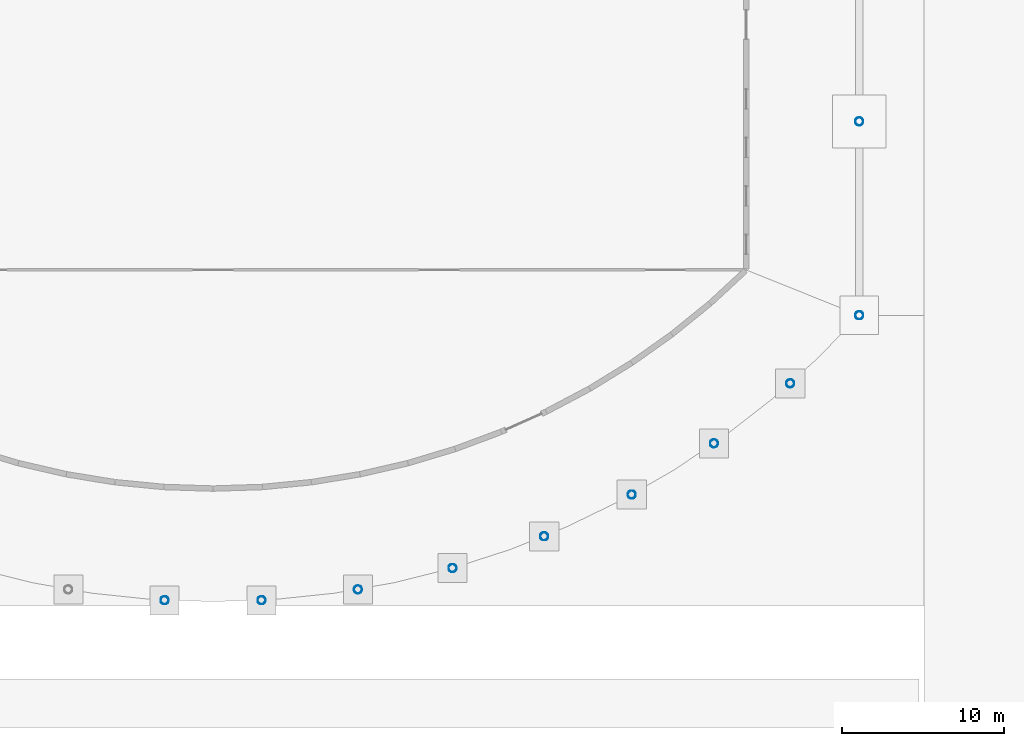
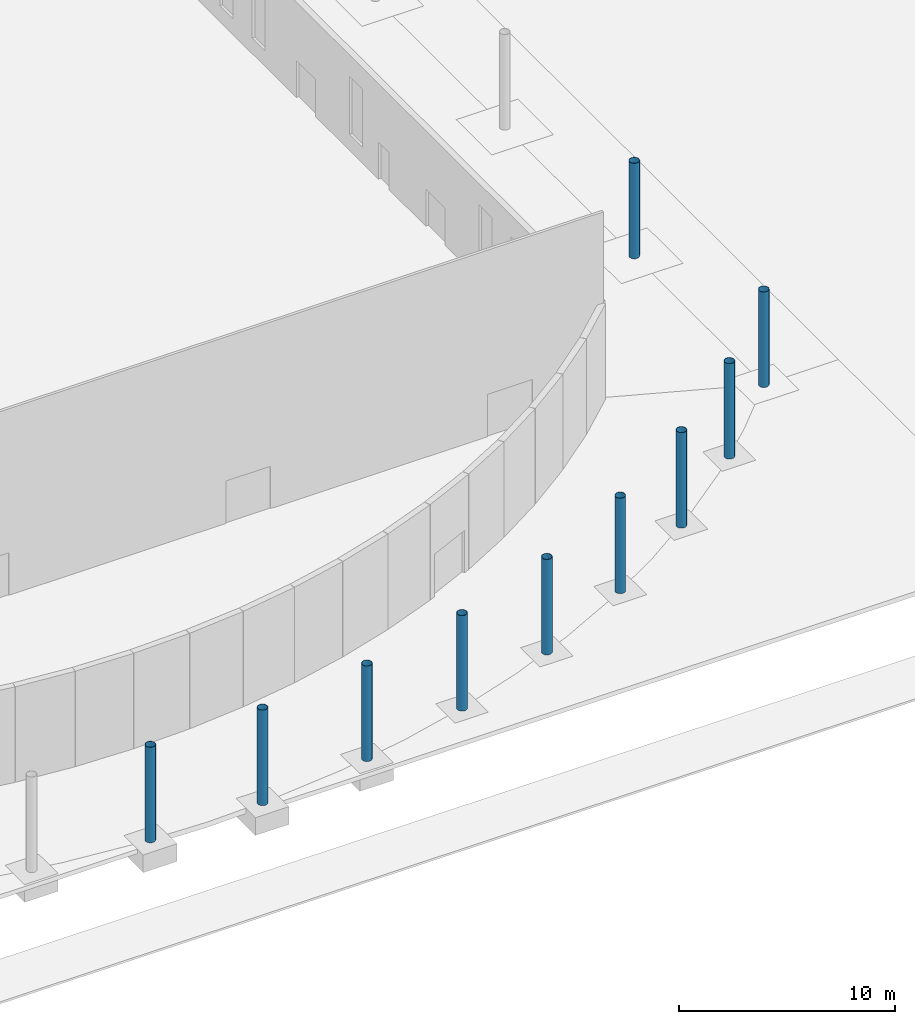
# One storey, part 9 of 132: 10 columns.
"""IFC4 building model written with IfcOpenShell, lengths in metres."""

from ifc_helpers import new_model, si_unit, direction, frame, origin, origin_2d, place, context, subcontext, project, spatial, hollow_circle, extrude, material, material_profile, profile_set, type_object, element, save


model = new_model("IFC4")

# Units and contexts
model_context = context("Model", 3, precision=1e-05, world=origin(), true_north=direction((0.0, 1.0)))
body_context = subcontext(model_context, "Body", "Model", "MODEL_VIEW")
ifc_project = project(units=[si_unit("LENGTHUNIT", "METRE"), si_unit("AREAUNIT", "SQUARE_METRE"), si_unit("VOLUMEUNIT", "CUBIC_METRE"), si_unit("PLANEANGLEUNIT", "RADIAN"), si_unit("MASSUNIT", "GRAM", prefix="KILO")], contexts=[model_context])

# Site, building, storey
site_placement = place(None, origin())
site = spatial("IfcSite", under=ifc_project, at=site_placement, CompositionType="ELEMENT")
building_placement = place(site_placement, origin())
building = spatial("IfcBuilding", under=site, at=building_placement, Name="Ravi Spectrum Wholesale Market", CompositionType="ELEMENT")
storey_placement = place(building_placement, origin())
storey = spatial("IfcBuildingStorey", under=building, at=storey_placement, Name="L00", CompositionType="ELEMENT", Elevation=0.0)

# Columns
ifc_material = material(Name="Steel S355", Category="steel")
ifc_material_profile = material_profile(ifc_material, hollow_circle(Radius=0.25390625, WallThickness=0.01611328125, at=origin_2d()))
ifc_profile_set = profile_set([ifc_material_profile], Name="Steel S355")
column_type = type_object("IfcColumnType", Name="CHS 508x16 column", PredefinedType="COLUMN", material=ifc_profile_set)
for number, where, z_axis, x_axis, name in (
    (1, (110.0, 30.0, 0.0), (0.0, 0.0, 1.0), (1.0, 0.0, 0.0), "H1-COL-L00-016"),
    (2, (110.0, 42.0, 0.0), (0.0, 0.0, 1.0), (1.0, 0.0, 0.0), "H1-COL-L00-017"),
    (3, (66.99853515625, 12.360107421875, 0.0), (0.0, 0.0, 1.0), (1.0, 0.0, 0.0), "H1-COL-L00-037"),
    (4, (73.00146484375, 12.360107421875, 0.0), (0.0, 0.0, 1.0), (1.0, 0.0, 0.0), "H1-COL-L00-038"),
    (5, (78.96728515625, 13.0263671875, 0.0), (0.0, 0.0, 1.0), (1.0, 0.0, 0.0), "H1-COL-L00-039"),
    (6, (84.822265625, 14.350830078125, 0.0), (0.0, 0.0, 1.0), (1.0, 0.0, 0.0), "H1-COL-L00-040"),
    (7, (90.494140625, 16.31689453125, 0.0), (0.0, 0.0, 1.0), (1.0, 0.0, 0.0), "H1-COL-L00-041"),
    (8, (95.912841796875, 18.900390625, 0.0), (0.0, 0.0, 1.0), (1.0, 0.0, 0.0), "H1-COL-L00-042"),
    (9, (101.01123046875, 22.069091796875, 0.0), (0.0, 0.0, 1.0), (1.0, 0.0, 0.0), "H1-COL-L00-043"),
    (10, (105.726318359375, 25.784423828125, 0.0), (0.0, 0.0, 1.0), (1.0, 0.0, 0.0), "H1-COL-L00-044"),
):
    element("IfcColumn", number, at=place(storey_placement, frame(where, z_axis=z_axis, x_axis=x_axis)), inside=storey, type_object=column_type, Name=name, PredefinedType="COLUMN", context=body_context, shape_type="SweptSolid", body=[
        extrude(hollow_circle(Radius=0.25390625, WallThickness=0.01611328125, at=origin_2d()), origin(), (0.0, 0.0, 1.0), 5.39990234375),
    ])

save(model, "model.ifc")
